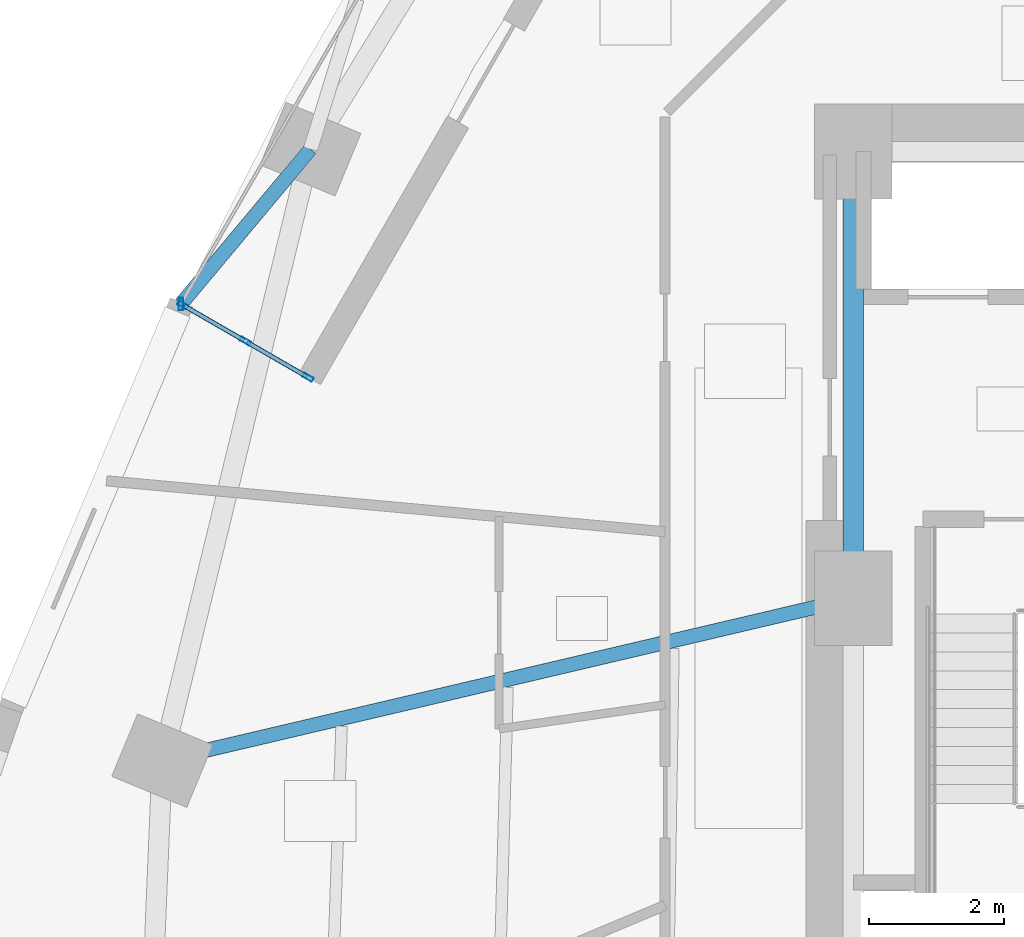
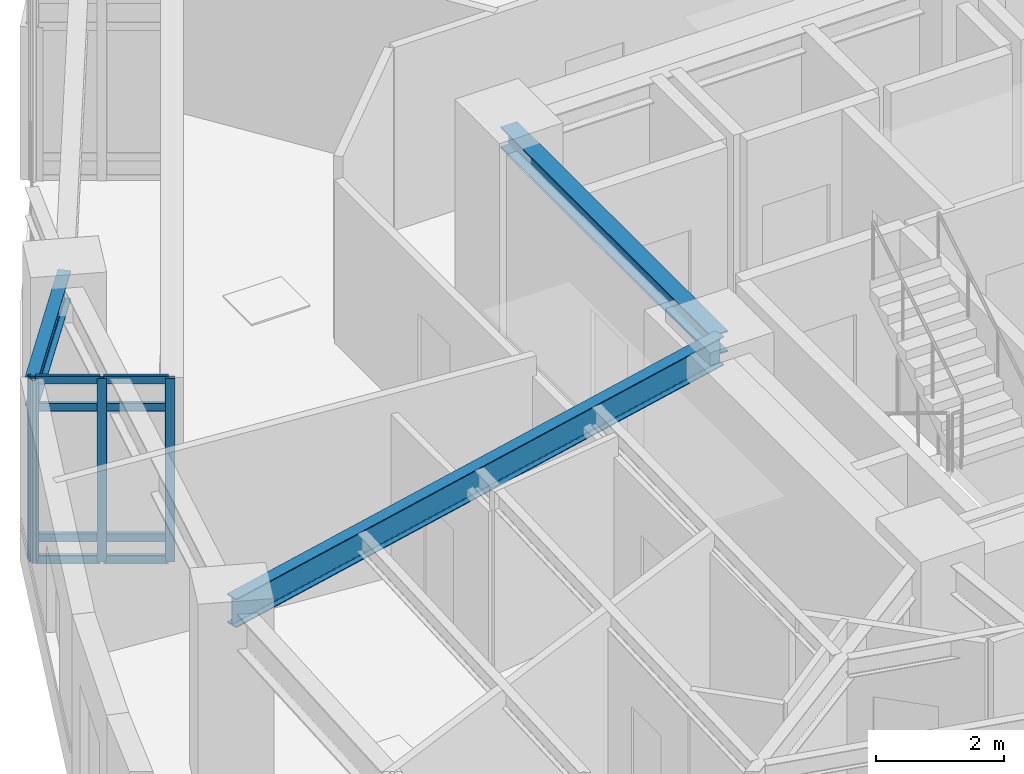
# One storey, part 2 of 12: 12 members, 3 beams, 1 element without a shape of its own.
"""IFC4 building model written with IfcOpenShell, lengths in metres."""

from ifc_helpers import new_model, si_unit, direction, frame, origin, origin_2d, place, context, subcontext, project, spatial, hollow_rectangle, i_section, extrude, material, layer, layer_set, material_profile, profile_set, type_object, element, aggregate, save


model = new_model("IFC4")

# Units and contexts
model_context = context("Model", 3, precision=1e-05, world=origin(), true_north=direction((0.0, 1.0)))
body_context = subcontext(model_context, "Body", "Model", "MODEL_VIEW")
ifc_project = project(units=[si_unit("LENGTHUNIT", "METRE"), si_unit("AREAUNIT", "SQUARE_METRE"), si_unit("VOLUMEUNIT", "CUBIC_METRE"), si_unit("PLANEANGLEUNIT", "RADIAN"), si_unit("MASSUNIT", "GRAM", prefix="KILO")], contexts=[model_context])

# Site, building, storey
site_placement = place(None, origin())
site = spatial("IfcSite", under=ifc_project, at=site_placement, CompositionType="ELEMENT")
building_placement = place(site_placement, origin())
building = spatial("IfcBuilding", under=site, at=building_placement, Name="Ndelora Gate Hotel", CompositionType="ELEMENT")
storey_placement = place(building_placement, frame((0.0, 0.0, 38.0)))
storey = spatial("IfcBuildingStorey", under=building, at=storey_placement, Name="L08", CompositionType="ELEMENT", Elevation=38.0)

# Beams
ifc_material_1 = material(Name="Steel S355", Category="steel")
ifc_material_profile_1 = material_profile(ifc_material_1, i_section(OverallWidth=0.300048828125, OverallDepth=0.39990234375, WebThickness=0.013427734375, FlangeThickness=0.02392578125, FilletRadius=0.027099609375, at=origin_2d()), Name="HEB 400")
ifc_profile_set_1 = profile_set([ifc_material_profile_1], Name="Steel S355")
beam_type_1 = type_object("IfcBeamType", Name="BM-CORE-400", PredefinedType="BEAM", material=ifc_profile_set_1)
beam_1_placement = place(storey_placement, frame((-8.0, 0.0, 3.300048828125), z_axis=(0.0, 1.0, 0.0), x_axis=(-1.0, 0.0, 0.0)))
element("IfcBeam", 1, at=beam_1_placement, inside=storey, type_object=beam_type_1, Name="L08 Core Tie Girder CC8-CC7", PredefinedType="BEAM", context=body_context, shape_type="SweptSolid", body=[
    extrude(i_section(OverallWidth=0.300048828125, OverallDepth=0.39990234375, WebThickness=0.013427734375, FlangeThickness=0.02392578125, FilletRadius=0.027099609375, at=origin_2d()), origin(), (0.0, 0.0, 1.0), 6.60009765625),
])
ifc_material_profile_2 = material_profile(ifc_material_1, i_section(OverallWidth=0.2099609375, OverallDepth=0.550048828125, WebThickness=0.010986328125, FlangeThickness=0.01708984375, FilletRadius=0.02392578125, at=origin_2d()), Name="IPE 550")
ifc_profile_set_2 = profile_set([ifc_material_profile_2], Name="Steel S355")
beam_type_2 = type_object("IfcBeamType", Name="BM-RAD-550", PredefinedType="BEAM", material=ifc_profile_set_2)
beam_2_placement = place(storey_placement, frame((-8.0, 0.0, 3.22509765625), z_axis=(-0.973517848051, -0.22861102232, 0.0), x_axis=(0.22861102232, -0.973517848051, 0.0)))
element("IfcBeam", 2, at=beam_2_placement, inside=storey, type_object=beam_type_2, Name="L08 Radial Floor Girder 4", PredefinedType="BEAM", context=body_context, shape_type="SweptSolid", body=[
    extrude(i_section(OverallWidth=0.2099609375, OverallDepth=0.550048828125, WebThickness=0.010986328125, FlangeThickness=0.01708984375, FilletRadius=0.02392578125, at=origin_2d()), origin(), (0.0, 0.0, 1.0), 10.48486328125),
])
beam_3_placement = place(storey_placement, frame((-16.016845703125, 6.634521484375, 3.22509765625), z_axis=(-0.641689214339, -0.766964765945, 0.0), x_axis=(0.766964765945, -0.641689214339, 0.0)))
element("IfcBeam", 3, at=beam_3_placement, inside=storey, type_object=beam_type_2, Name="L08 Sky-Garden Loggia Column Bracket 3", PredefinedType="BEAM", context=body_context, shape_type="SweptSolid", body=[
    extrude(i_section(OverallWidth=0.2099609375, OverallDepth=0.550048828125, WebThickness=0.010986328125, FlangeThickness=0.01708984375, FilletRadius=0.02392578125, at=origin_2d()), origin(), (0.0, 0.0, 1.0), 2.981689453125),
])

# Curtain wall, members
ifc_material_2 = material(Name="Bronze Anodised Unitised Aluminium and Low-E Glass", Category="aluminium")
ifc_layer = layer(ifc_material_2, 0.199951171875)
ifc_layer_set = layer_set([ifc_layer], Name="Bronze Anodised Unitised Aluminium and Low-E Glass")
curtain_wall_type = type_object("IfcCurtainWallType", Name="CW-SYS-3", PredefinedType="NOTDEFINED", material=ifc_layer_set)
curtain_wall_placement = place(storey_placement, origin())
curtain_wall = element("IfcCurtainWall", 4, at=curtain_wall_placement, inside=storey, type_object=curtain_wall_type, Name="L08 Sky-Garden Loggia Side Curtain Wall CW3-2", PredefinedType="NOTDEFINED")
ifc_material_3 = material(Name="Bronze Anodised Aluminium 6063-T6", Category="aluminium")
ifc_material_profile_3 = material_profile(ifc_material_3, hollow_rectangle(XDim=0.06494140625, YDim=0.159912109375, WallThickness=0.00390625, InnerFilletRadius=0.00390625, OuterFilletRadius=0.008056640625, at=origin_2d()), Name="ALU 160x65x4")
ifc_profile_set_3 = profile_set([ifc_material_profile_3], Name="Bronze Anodised Aluminium 6063-T6")
member_type_1 = type_object("IfcMemberType", Name="MB-CW-MUL150", PredefinedType="MULLION", material=ifc_profile_set_3)
member_1_placement = place(storey_placement, frame((-17.902099609375, 4.331298828125, -0.00390625), z_axis=(0.0, 0.0, 1.0), x_axis=(0.499991317892, 0.866030416344, 0.0)))
member_1 = element("IfcMember", 5, at=member_1_placement, type_object=member_type_1, Name="CW3 mullion 1", PredefinedType="MULLION", context=body_context, shape_type="SweptSolid", body=[
    extrude(hollow_rectangle(XDim=0.06494140625, YDim=0.159912109375, WallThickness=0.00390625, InnerFilletRadius=0.00390625, OuterFilletRadius=0.008056640625, at=origin_2d()), origin(), (0.0, 0.0, 1.0), 3.5078125),
])
member_2_placement = place(storey_placement, frame((-16.9775390625, 3.797607421875, -0.00390625), z_axis=(0.0, 0.0, 1.0), x_axis=(0.499991317892, 0.866030416344, 0.0)))
member_2 = element("IfcMember", 6, at=member_2_placement, type_object=member_type_1, Name="CW3 mullion 2", PredefinedType="MULLION", context=body_context, shape_type="SweptSolid", body=[
    extrude(hollow_rectangle(XDim=0.06494140625, YDim=0.159912109375, WallThickness=0.00390625, InnerFilletRadius=0.00390625, OuterFilletRadius=0.008056640625, at=origin_2d()), origin(), (0.0, 0.0, 1.0), 3.5078125),
])
member_3_placement = place(storey_placement, frame((-16.052978515625, 3.263916015625, -0.00390625), z_axis=(0.0, 0.0, 1.0), x_axis=(0.499991317892, 0.866030416344, 0.0)))
member_3 = element("IfcMember", 7, at=member_3_placement, type_object=member_type_1, Name="CW3 mullion 3", PredefinedType="MULLION", context=body_context, shape_type="SweptSolid", body=[
    extrude(hollow_rectangle(XDim=0.06494140625, YDim=0.159912109375, WallThickness=0.00390625, InnerFilletRadius=0.00390625, OuterFilletRadius=0.008056640625, at=origin_2d()), origin(), (0.0, 0.0, 1.0), 3.5078125),
])
ifc_material_profile_4 = material_profile(ifc_material_3, hollow_rectangle(XDim=0.070068359375, YDim=0.179931640625, WallThickness=0.0048828125, InnerFilletRadius=0.0048828125, OuterFilletRadius=0.010009765625, at=origin_2d()), Name="ALU 180x70x5")
ifc_profile_set_4 = profile_set([ifc_material_profile_4], Name="Bronze Anodised Aluminium 6063-T6")
member_type_2 = type_object("IfcMemberType", Name="MB-CW-MUL180", PredefinedType="MULLION", material=ifc_profile_set_4)
member_4_placement = place(storey_placement, frame((-17.93017578125, 4.34765625, 0.0), z_axis=(0.0, 0.0, 1.0), x_axis=(1.0, 0.0, 0.0)))
member_4 = element("IfcMember", 8, at=member_4_placement, type_object=member_type_2, Name="L08 Sky-Garden Loggia Corner Mullion Post 2", PredefinedType="MULLION", context=body_context, shape_type="SweptSolid", body=[
    extrude(hollow_rectangle(XDim=0.070068359375, YDim=0.179931640625, WallThickness=0.0048828125, InnerFilletRadius=0.0048828125, OuterFilletRadius=0.010009765625, at=origin_2d()), origin(), (0.0, 0.0, 1.0), 3.5),
])
ifc_material_profile_5 = material_profile(ifc_material_3, hollow_rectangle(XDim=0.06494140625, YDim=0.159912109375, WallThickness=0.00390625, InnerFilletRadius=0.00390625, OuterFilletRadius=0.008056640625, at=origin_2d()), Name="ALU 160x65x4")
ifc_profile_set_5 = profile_set([ifc_material_profile_5], Name="Bronze Anodised Aluminium 6063-T6")
member_type_3 = type_object("IfcMemberType", Name="MB-CW-TRN150", PredefinedType="USERDEFINED", material=ifc_profile_set_5)
member_5_placement = place(storey_placement, frame((-17.879150390625, 4.318115234375, 0.032470703125), z_axis=(0.866013277291, -0.500021003115, 0.0), x_axis=(0.500021003115, 0.866013277291, 0.0)))
member_5 = element("IfcMember", 9, at=member_5_placement, type_object=member_type_3, Name="CW3 transom 1.1", ObjectType="TRANSOM", PredefinedType="USERDEFINED", context=body_context, shape_type="SweptSolid", body=[
    extrude(hollow_rectangle(XDim=0.06494140625, YDim=0.159912109375, WallThickness=0.00390625, InnerFilletRadius=0.00390625, OuterFilletRadius=0.008056640625, at=origin_2d()), origin(), (0.0, 0.0, 1.0), 1.0146484375),
])
member_6_placement = place(storey_placement, frame((-17.879150390625, 4.318115234375, 0.449951171875), z_axis=(0.866013277291, -0.500021003115, 0.0), x_axis=(0.500021003115, 0.866013277291, 0.0)))
member_6 = element("IfcMember", 10, at=member_6_placement, type_object=member_type_3, Name="CW3 transom 1.2", ObjectType="TRANSOM", PredefinedType="USERDEFINED", context=body_context, shape_type="SweptSolid", body=[
    extrude(hollow_rectangle(XDim=0.06494140625, YDim=0.159912109375, WallThickness=0.00390625, InnerFilletRadius=0.00390625, OuterFilletRadius=0.008056640625, at=origin_2d()), origin(), (0.0, 0.0, 1.0), 1.0146484375),
])
member_7_placement = place(storey_placement, frame((-17.879150390625, 4.318115234375, 2.949951171875), z_axis=(0.866013277291, -0.500021003115, 0.0), x_axis=(0.500021003115, 0.866013277291, 0.0)))
member_7 = element("IfcMember", 11, at=member_7_placement, type_object=member_type_3, Name="CW3 transom 1.3", ObjectType="TRANSOM", PredefinedType="USERDEFINED", context=body_context, shape_type="SweptSolid", body=[
    extrude(hollow_rectangle(XDim=0.06494140625, YDim=0.159912109375, WallThickness=0.00390625, InnerFilletRadius=0.00390625, OuterFilletRadius=0.008056640625, at=origin_2d()), origin(), (0.0, 0.0, 1.0), 1.0146484375),
])
member_8_placement = place(storey_placement, frame((-17.879150390625, 4.318115234375, 3.467529296875), z_axis=(0.866013277291, -0.500021003115, 0.0), x_axis=(0.500021003115, 0.866013277291, 0.0)))
member_8 = element("IfcMember", 12, at=member_8_placement, type_object=member_type_3, Name="CW3 transom 1.4", ObjectType="TRANSOM", PredefinedType="USERDEFINED", context=body_context, shape_type="SweptSolid", body=[
    extrude(hollow_rectangle(XDim=0.06494140625, YDim=0.159912109375, WallThickness=0.00390625, InnerFilletRadius=0.00390625, OuterFilletRadius=0.008056640625, at=origin_2d()), origin(), (0.0, 0.0, 1.0), 1.0146484375),
])
member_9_placement = place(storey_placement, frame((-16.95458984375, 3.784423828125, 0.032470703125), z_axis=(0.866013277291, -0.500021003115, 0.0), x_axis=(0.500021003115, 0.866013277291, 0.0)))
member_9 = element("IfcMember", 13, at=member_9_placement, type_object=member_type_3, Name="CW3 transom 2.1", ObjectType="TRANSOM", PredefinedType="USERDEFINED", context=body_context, shape_type="SweptSolid", body=[
    extrude(hollow_rectangle(XDim=0.06494140625, YDim=0.159912109375, WallThickness=0.00390625, InnerFilletRadius=0.00390625, OuterFilletRadius=0.008056640625, at=origin_2d()), origin(), (0.0, 0.0, 1.0), 1.0146484375),
])
member_10_placement = place(storey_placement, frame((-16.95458984375, 3.784423828125, 0.449951171875), z_axis=(0.866013277291, -0.500021003115, 0.0), x_axis=(0.500021003115, 0.866013277291, 0.0)))
member_10 = element("IfcMember", 14, at=member_10_placement, type_object=member_type_3, Name="CW3 transom 2.2", ObjectType="TRANSOM", PredefinedType="USERDEFINED", context=body_context, shape_type="SweptSolid", body=[
    extrude(hollow_rectangle(XDim=0.06494140625, YDim=0.159912109375, WallThickness=0.00390625, InnerFilletRadius=0.00390625, OuterFilletRadius=0.008056640625, at=origin_2d()), origin(), (0.0, 0.0, 1.0), 1.0146484375),
])
member_11_placement = place(storey_placement, frame((-16.95458984375, 3.784423828125, 2.949951171875), z_axis=(0.866013277291, -0.500021003115, 0.0), x_axis=(0.500021003115, 0.866013277291, 0.0)))
member_11 = element("IfcMember", 15, at=member_11_placement, type_object=member_type_3, Name="CW3 transom 2.3", ObjectType="TRANSOM", PredefinedType="USERDEFINED", context=body_context, shape_type="SweptSolid", body=[
    extrude(hollow_rectangle(XDim=0.06494140625, YDim=0.159912109375, WallThickness=0.00390625, InnerFilletRadius=0.00390625, OuterFilletRadius=0.008056640625, at=origin_2d()), origin(), (0.0, 0.0, 1.0), 1.0146484375),
])
member_12_placement = place(storey_placement, frame((-16.95458984375, 3.784423828125, 3.467529296875), z_axis=(0.866013277291, -0.500021003115, 0.0), x_axis=(0.500021003115, 0.866013277291, 0.0)))
member_12 = element("IfcMember", 16, at=member_12_placement, type_object=member_type_3, Name="CW3 transom 2.4", ObjectType="TRANSOM", PredefinedType="USERDEFINED", context=body_context, shape_type="SweptSolid", body=[
    extrude(hollow_rectangle(XDim=0.06494140625, YDim=0.159912109375, WallThickness=0.00390625, InnerFilletRadius=0.00390625, OuterFilletRadius=0.008056640625, at=origin_2d()), origin(), (0.0, 0.0, 1.0), 1.0146484375),
])
aggregate(curtain_wall, [member_1, member_2, member_3, member_5, member_6, member_7, member_8, member_9, member_10, member_11, member_12, member_4])

save(model, "model.ifc")
